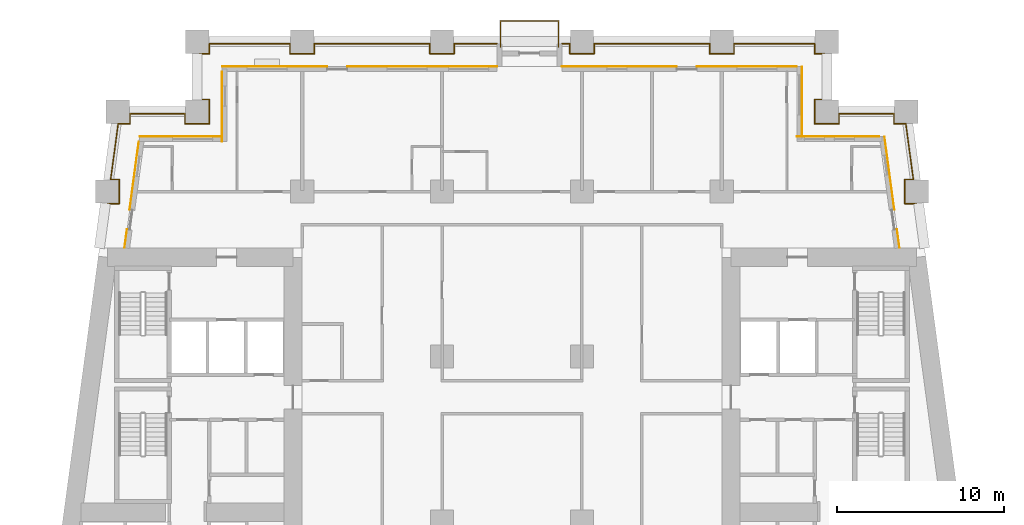
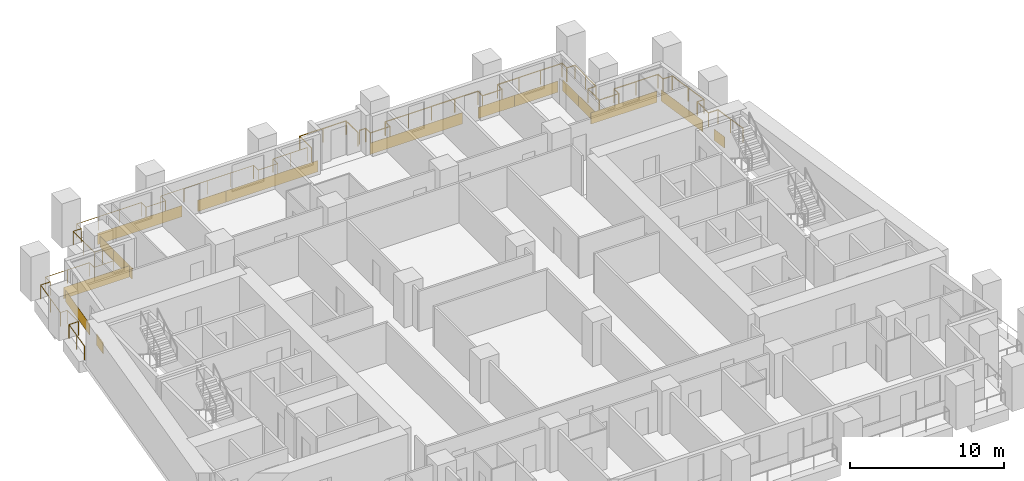
# One storey, part 11 of 12: 16 coverings, 3 railings.
"""IFC4 building model written with IfcOpenShell, lengths in metres."""

from ifc_helpers import new_model, si_unit, direction, frame, origin, origin_2d, place, context, subcontext, project, spatial, rectangle, circle, extrude, material, layer, layer_set, type_object, element, save


model = new_model("IFC4")

# Units and contexts
model_context = context("Model", 3, precision=1e-05, world=origin(), true_north=direction((0.0, 1.0)))
body_context = subcontext(model_context, "Body", "Model", "MODEL_VIEW")
ifc_project = project(units=[si_unit("LENGTHUNIT", "METRE"), si_unit("AREAUNIT", "SQUARE_METRE"), si_unit("VOLUMEUNIT", "CUBIC_METRE"), si_unit("PLANEANGLEUNIT", "RADIAN"), si_unit("MASSUNIT", "GRAM", prefix="KILO")], contexts=[model_context])

# Site, building, storey
site_placement = place(None, origin())
site = spatial("IfcSite", under=ifc_project, at=site_placement, CompositionType="ELEMENT")
building_placement = place(site_placement, origin())
building = spatial("IfcBuilding", under=site, at=building_placement, Name="Candeia Pilgrim Tower and Theatre", CompositionType="ELEMENT")
storey_placement = place(building_placement, frame((0.0, 0.0, 49.5)))
storey = spatial("IfcBuildingStorey", under=building, at=storey_placement, Name="L09", CompositionType="ELEMENT", Elevation=49.5)

# Railings
ifc_material_1 = material(Name="Stainless steel balustrade", Category="steel")
railing_type = type_object("IfcRailingType", Name="G1 loggia guard 1100", PredefinedType="GUARDRAIL", material=ifc_material_1)
railing_1_placement = place(storey_placement, frame((88.758544921875, 132.449951171875, 0.0)))
element("IfcRailing", 1, at=railing_1_placement, inside=storey, type_object=railing_type, Name="Guard L09.2", PredefinedType="GUARDRAIL", context=body_context, shape_type="SweptSolid", body=[
    extrude(circle(Radius=0.02392578125, at=origin_2d()), frame((0.0, 0.0, 1.076171875), z_axis=(0.133439920495, 0.991056904329, 0.0), x_axis=(-0.991056904329, 0.133439920495, 0.0)), (0.0, 0.0, 1.0), 2.643798828125),
    extrude(circle(Radius=0.02392578125, at=origin_2d()), frame((0.352783203125, 2.6201171875, 1.076171875), z_axis=(1.0, 0.0, 0.0), x_axis=(0.0, 1.0, 0.0)), (0.0, 0.0, 1.0), 0.70703125),
    extrude(circle(Radius=0.02392578125, at=origin_2d()), frame((1.059814453125, 2.6201171875, 1.076171875), z_axis=(0.0, 1.0, 0.0), x_axis=(-1.0, 0.0, 0.0)), (0.0, 0.0, 1.0), 1.4599609375),
    extrude(circle(Radius=0.02392578125, at=origin_2d()), frame((1.059814453125, 4.080078125, 1.076171875), z_axis=(-1.0, 0.0, 0.0), x_axis=(0.0, -1.0, 0.0)), (0.0, 0.0, 1.0), 0.510498046875),
    extrude(circle(Radius=0.02392578125, at=origin_2d()), frame((0.54931640625, 4.080078125, 1.076171875), z_axis=(0.133364121373, 0.991067107279, 0.0), x_axis=(-0.991067107279, 0.133364121373, 0.0)), (0.0, 0.0, 1.0), 3.3701171875),
    extrude(circle(Radius=0.02392578125, at=origin_2d()), frame((0.998779296875, 7.420166015625, 1.076171875), z_axis=(1.0, 0.0, 0.0), x_axis=(0.0, 1.0, 0.0)), (0.0, 0.0, 1.0), 0.707275390625),
    extrude(circle(Radius=0.02392578125, at=origin_2d()), frame((1.7060546875, 7.420166015625, 1.076171875), z_axis=(0.0, 1.0, 0.0), x_axis=(-1.0, 0.0, 0.0)), (0.0, 0.0, 1.0), 0.60986328125),
    extrude(circle(Radius=0.02392578125, at=origin_2d()), frame((1.7060546875, 8.030029296875, 1.076171875), z_axis=(1.0, 0.0, 0.0), x_axis=(0.0, 1.0, 0.0)), (0.0, 0.0, 1.0), 3.305419921875),
    extrude(circle(Radius=0.02392578125, at=origin_2d()), frame((5.011474609375, 8.030029296875, 1.076171875), z_axis=(0.0, -1.0, 0.0), x_axis=(1.0, 0.0, 0.0)), (0.0, 0.0, 1.0), 0.60986328125),
    extrude(circle(Radius=0.02392578125, at=origin_2d()), frame((5.011474609375, 7.420166015625, 1.076171875), z_axis=(1.0, 0.0, 0.0), x_axis=(0.0, 1.0, 0.0)), (0.0, 0.0, 1.0), 1.4599609375),
    extrude(circle(Radius=0.02392578125, at=origin_2d()), frame((6.471435546875, 7.420166015625, 1.076171875), z_axis=(0.0, 1.0, 0.0), x_axis=(-1.0, 0.0, 0.0)), (0.0, 0.0, 1.0), 1.4599609375),
    extrude(circle(Radius=0.02392578125, at=origin_2d()), frame((6.471435546875, 8.880126953125, 1.076171875), z_axis=(-1.0, 0.0, 0.0), x_axis=(0.0, -1.0, 0.0)), (0.0, 0.0, 1.0), 0.60986328125),
    extrude(circle(Radius=0.02392578125, at=origin_2d()), frame((5.861572265625, 8.880126953125, 1.076171875), z_axis=(0.0, 1.0, 0.0), x_axis=(-1.0, 0.0, 0.0)), (0.0, 0.0, 1.0), 2.739990234375),
    extrude(circle(Radius=0.02392578125, at=origin_2d()), frame((5.861572265625, 11.6201171875, 1.076171875), z_axis=(1.0, 0.0, 0.0), x_axis=(0.0, 1.0, 0.0)), (0.0, 0.0, 1.0), 0.60986328125),
    extrude(circle(Radius=0.02392578125, at=origin_2d()), frame((6.471435546875, 11.6201171875, 1.076171875), z_axis=(0.0, 1.0, 0.0), x_axis=(-1.0, 0.0, 0.0)), (0.0, 0.0, 1.0), 0.60986328125),
    extrude(circle(Radius=0.02392578125, at=origin_2d()), frame((6.471435546875, 12.22998046875, 1.076171875), z_axis=(1.0, 0.0, 0.0), x_axis=(0.0, 1.0, 0.0)), (0.0, 0.0, 1.0), 4.840087890625),
    extrude(circle(Radius=0.02392578125, at=origin_2d()), frame((11.3115234375, 12.22998046875, 1.076171875), z_axis=(0.0, -1.0, 0.0), x_axis=(1.0, 0.0, 0.0)), (0.0, 0.0, 1.0), 0.60986328125),
    extrude(circle(Radius=0.02392578125, at=origin_2d()), frame((11.3115234375, 11.6201171875, 1.076171875), z_axis=(1.0, 0.0, 0.0), x_axis=(0.0, 1.0, 0.0)), (0.0, 0.0, 1.0), 1.4599609375),
    extrude(circle(Radius=0.02392578125, at=origin_2d()), frame((12.771484375, 11.6201171875, 1.076171875), z_axis=(0.0, 1.0, 0.0), x_axis=(-1.0, 0.0, 0.0)), (0.0, 0.0, 1.0), 0.60986328125),
    extrude(circle(Radius=0.02392578125, at=origin_2d()), frame((12.771484375, 12.22998046875, 1.076171875), z_axis=(1.0, 0.0, 0.0), x_axis=(0.0, 1.0, 0.0)), (0.0, 0.0, 1.0), 6.93994140625),
    extrude(circle(Radius=0.02392578125, at=origin_2d()), frame((19.71142578125, 12.22998046875, 1.076171875), z_axis=(0.0, -1.0, 0.0), x_axis=(1.0, 0.0, 0.0)), (0.0, 0.0, 1.0), 0.60986328125),
    extrude(circle(Radius=0.02392578125, at=origin_2d()), frame((19.71142578125, 11.6201171875, 1.076171875), z_axis=(1.0, 0.0, 0.0), x_axis=(0.0, 1.0, 0.0)), (0.0, 0.0, 1.0), 1.4599609375),
    extrude(circle(Radius=0.02392578125, at=origin_2d()), frame((21.17138671875, 11.6201171875, 1.076171875), z_axis=(0.0, 1.0, 0.0), x_axis=(-1.0, 0.0, 0.0)), (0.0, 0.0, 1.0), 0.60986328125),
    extrude(circle(Radius=0.02392578125, at=origin_2d()), frame((21.17138671875, 12.22998046875, 1.076171875), z_axis=(1.0, 0.0, 0.0), x_axis=(0.0, 1.0, 0.0)), (0.0, 0.0, 1.0), 2.570068359375),
    extrude(circle(Radius=0.02099609375, at=origin_2d()), origin(), (0.0, 0.0, 1.0), 1.052001953125),
    extrude(circle(Radius=0.02099609375, at=origin_2d()), frame((0.17626953125, 1.31005859375, 0.0)), (0.0, 0.0, 1.0), 1.052001953125),
    extrude(circle(Radius=0.02099609375, at=origin_2d()), frame((0.352783203125, 2.6201171875, 0.0)), (0.0, 0.0, 1.0), 1.052001953125),
    extrude(circle(Radius=0.02099609375, at=origin_2d()), frame((1.059814453125, 2.6201171875, 0.0)), (0.0, 0.0, 1.0), 1.052001953125),
    extrude(circle(Radius=0.02099609375, at=origin_2d()), frame((1.059814453125, 4.080078125, 0.0)), (0.0, 0.0, 1.0), 1.052001953125),
    extrude(circle(Radius=0.02099609375, at=origin_2d()), frame((0.54931640625, 4.080078125, 0.0)), (0.0, 0.0, 1.0), 1.052001953125),
    extrude(circle(Radius=0.02099609375, at=origin_2d()), frame((0.77392578125, 5.75, 0.0)), (0.0, 0.0, 1.0), 1.052001953125),
    extrude(circle(Radius=0.02099609375, at=origin_2d()), frame((0.998779296875, 7.420166015625, 0.0)), (0.0, 0.0, 1.0), 1.052001953125),
    extrude(circle(Radius=0.02099609375, at=origin_2d()), frame((1.7060546875, 7.420166015625, 0.0)), (0.0, 0.0, 1.0), 1.052001953125),
    extrude(circle(Radius=0.02099609375, at=origin_2d()), frame((1.7060546875, 8.030029296875, 0.0)), (0.0, 0.0, 1.0), 1.052001953125),
    extrude(circle(Radius=0.02099609375, at=origin_2d()), frame((3.35888671875, 8.030029296875, 0.0)), (0.0, 0.0, 1.0), 1.052001953125),
    extrude(circle(Radius=0.02099609375, at=origin_2d()), frame((5.011474609375, 8.030029296875, 0.0)), (0.0, 0.0, 1.0), 1.052001953125),
    extrude(circle(Radius=0.02099609375, at=origin_2d()), frame((5.011474609375, 7.420166015625, 0.0)), (0.0, 0.0, 1.0), 1.052001953125),
    extrude(circle(Radius=0.02099609375, at=origin_2d()), frame((6.471435546875, 7.420166015625, 0.0)), (0.0, 0.0, 1.0), 1.052001953125),
    extrude(circle(Radius=0.02099609375, at=origin_2d()), frame((6.471435546875, 8.880126953125, 0.0)), (0.0, 0.0, 1.0), 1.052001953125),
    extrude(circle(Radius=0.02099609375, at=origin_2d()), frame((5.861572265625, 8.880126953125, 0.0)), (0.0, 0.0, 1.0), 1.052001953125),
    extrude(circle(Radius=0.02099609375, at=origin_2d()), frame((5.861572265625, 10.25, 0.0)), (0.0, 0.0, 1.0), 1.052001953125),
    extrude(circle(Radius=0.02099609375, at=origin_2d()), frame((5.861572265625, 11.6201171875, 0.0)), (0.0, 0.0, 1.0), 1.052001953125),
    extrude(circle(Radius=0.02099609375, at=origin_2d()), frame((6.471435546875, 11.6201171875, 0.0)), (0.0, 0.0, 1.0), 1.052001953125),
    extrude(circle(Radius=0.02099609375, at=origin_2d()), frame((6.471435546875, 12.22998046875, 0.0)), (0.0, 0.0, 1.0), 1.052001953125),
    extrude(circle(Radius=0.02099609375, at=origin_2d()), frame((8.084716796875, 12.22998046875, 0.0)), (0.0, 0.0, 1.0), 1.052001953125),
    extrude(circle(Radius=0.02099609375, at=origin_2d()), frame((9.6982421875, 12.22998046875, 0.0)), (0.0, 0.0, 1.0), 1.052001953125),
    extrude(circle(Radius=0.02099609375, at=origin_2d()), frame((11.3115234375, 12.22998046875, 0.0)), (0.0, 0.0, 1.0), 1.052001953125),
    extrude(circle(Radius=0.02099609375, at=origin_2d()), frame((11.3115234375, 11.6201171875, 0.0)), (0.0, 0.0, 1.0), 1.052001953125),
    extrude(circle(Radius=0.02099609375, at=origin_2d()), frame((12.771484375, 11.6201171875, 0.0)), (0.0, 0.0, 1.0), 1.052001953125),
    extrude(circle(Radius=0.02099609375, at=origin_2d()), frame((12.771484375, 12.22998046875, 0.0)), (0.0, 0.0, 1.0), 1.052001953125),
    extrude(circle(Radius=0.02099609375, at=origin_2d()), frame((14.50634765625, 12.22998046875, 0.0)), (0.0, 0.0, 1.0), 1.052001953125),
    extrude(circle(Radius=0.02099609375, at=origin_2d()), frame((16.241455078125, 12.22998046875, 0.0)), (0.0, 0.0, 1.0), 1.052001953125),
    extrude(circle(Radius=0.02099609375, at=origin_2d()), frame((17.9765625, 12.22998046875, 0.0)), (0.0, 0.0, 1.0), 1.052001953125),
    extrude(circle(Radius=0.02099609375, at=origin_2d()), frame((19.71142578125, 12.22998046875, 0.0)), (0.0, 0.0, 1.0), 1.052001953125),
    extrude(circle(Radius=0.02099609375, at=origin_2d()), frame((19.71142578125, 11.6201171875, 0.0)), (0.0, 0.0, 1.0), 1.052001953125),
    extrude(circle(Radius=0.02099609375, at=origin_2d()), frame((21.17138671875, 11.6201171875, 0.0)), (0.0, 0.0, 1.0), 1.052001953125),
    extrude(circle(Radius=0.02099609375, at=origin_2d()), frame((21.17138671875, 12.22998046875, 0.0)), (0.0, 0.0, 1.0), 1.052001953125),
    extrude(circle(Radius=0.02099609375, at=origin_2d()), frame((22.45654296875, 12.22998046875, 0.0)), (0.0, 0.0, 1.0), 1.052001953125),
    extrude(circle(Radius=0.02099609375, at=origin_2d()), frame((23.741455078125, 12.22998046875, 0.0)), (0.0, 0.0, 1.0), 1.052001953125),
])
railing_2_placement = place(storey_placement, frame((116.39990234375, 144.679931640625, 0.0)))
element("IfcRailing", 2, at=railing_2_placement, inside=storey, type_object=railing_type, Name="Guard L09.3", PredefinedType="GUARDRAIL", context=body_context, shape_type="SweptSolid", body=[
    extrude(circle(Radius=0.02392578125, at=origin_2d()), frame((0.0, 0.0, 1.076171875), z_axis=(1.0, 0.0, 0.0), x_axis=(0.0, 1.0, 0.0)), (0.0, 0.0, 1.0), 0.47021484375),
    extrude(circle(Radius=0.02392578125, at=origin_2d()), frame((0.47021484375, 0.0, 1.076171875), z_axis=(0.0, -1.0, 0.0), x_axis=(1.0, 0.0, 0.0)), (0.0, 0.0, 1.0), 0.60986328125),
    extrude(circle(Radius=0.02392578125, at=origin_2d()), frame((0.47021484375, -0.60986328125, 1.076171875), z_axis=(1.0, 0.0, 0.0), x_axis=(0.0, 1.0, 0.0)), (0.0, 0.0, 1.0), 1.4599609375),
    extrude(circle(Radius=0.02392578125, at=origin_2d()), frame((1.93017578125, -0.60986328125, 1.076171875), z_axis=(0.0, 1.0, 0.0), x_axis=(-1.0, 0.0, 0.0)), (0.0, 0.0, 1.0), 0.60986328125),
    extrude(circle(Radius=0.02392578125, at=origin_2d()), frame((1.93017578125, 0.0, 1.076171875), z_axis=(1.0, 0.0, 0.0), x_axis=(0.0, 1.0, 0.0)), (0.0, 0.0, 1.0), 6.93994140625),
    extrude(circle(Radius=0.02392578125, at=origin_2d()), frame((8.8701171875, 0.0, 1.076171875), z_axis=(0.0, -1.0, 0.0), x_axis=(1.0, 0.0, 0.0)), (0.0, 0.0, 1.0), 0.60986328125),
    extrude(circle(Radius=0.02392578125, at=origin_2d()), frame((8.8701171875, -0.60986328125, 1.076171875), z_axis=(1.0, 0.0, 0.0), x_axis=(0.0, 1.0, 0.0)), (0.0, 0.0, 1.0), 1.4599609375),
    extrude(circle(Radius=0.02392578125, at=origin_2d()), frame((10.330078125, -0.60986328125, 1.076171875), z_axis=(0.0, 1.0, 0.0), x_axis=(-1.0, 0.0, 0.0)), (0.0, 0.0, 1.0), 0.60986328125),
    extrude(circle(Radius=0.02392578125, at=origin_2d()), frame((10.330078125, 0.0, 1.076171875), z_axis=(1.0, 0.0, 0.0), x_axis=(0.0, 1.0, 0.0)), (0.0, 0.0, 1.0), 4.840087890625),
    extrude(circle(Radius=0.02392578125, at=origin_2d()), frame((15.170166015625, 0.0, 1.076171875), z_axis=(0.0, -1.0, 0.0), x_axis=(1.0, 0.0, 0.0)), (0.0, 0.0, 1.0), 0.60986328125),
    extrude(circle(Radius=0.02392578125, at=origin_2d()), frame((15.170166015625, -0.60986328125, 1.076171875), z_axis=(1.0, 0.0, 0.0), x_axis=(0.0, 1.0, 0.0)), (0.0, 0.0, 1.0), 0.60986328125),
    extrude(circle(Radius=0.02392578125, at=origin_2d()), frame((15.780029296875, -0.60986328125, 1.076171875), z_axis=(0.0, -1.0, 0.0), x_axis=(1.0, 0.0, 0.0)), (0.0, 0.0, 1.0), 2.739990234375),
    extrude(circle(Radius=0.02392578125, at=origin_2d()), frame((15.780029296875, -3.349853515625, 1.076171875), z_axis=(-1.0, 0.0, 0.0), x_axis=(0.0, -1.0, 0.0)), (0.0, 0.0, 1.0), 0.60986328125),
    extrude(circle(Radius=0.02392578125, at=origin_2d()), frame((15.170166015625, -3.349853515625, 1.076171875), z_axis=(0.0, -1.0, 0.0), x_axis=(1.0, 0.0, 0.0)), (0.0, 0.0, 1.0), 1.4599609375),
    extrude(circle(Radius=0.02392578125, at=origin_2d()), frame((15.170166015625, -4.809814453125, 1.076171875), z_axis=(1.0, 0.0, 0.0), x_axis=(0.0, 1.0, 0.0)), (0.0, 0.0, 1.0), 1.4599609375),
    extrude(circle(Radius=0.02392578125, at=origin_2d()), frame((16.630126953125, -4.809814453125, 1.076171875), z_axis=(0.0, 1.0, 0.0), x_axis=(-1.0, 0.0, 0.0)), (0.0, 0.0, 1.0), 0.60986328125),
    extrude(circle(Radius=0.02392578125, at=origin_2d()), frame((16.630126953125, -4.199951171875, 1.076171875), z_axis=(1.0, 0.0, 0.0), x_axis=(0.0, 1.0, 0.0)), (0.0, 0.0, 1.0), 3.305419921875),
    extrude(circle(Radius=0.02392578125, at=origin_2d()), frame((19.935546875, -4.199951171875, 1.076171875), z_axis=(0.0, -1.0, 0.0), x_axis=(1.0, 0.0, 0.0)), (0.0, 0.0, 1.0), 0.60986328125),
    extrude(circle(Radius=0.02392578125, at=origin_2d()), frame((19.935546875, -4.809814453125, 1.076171875), z_axis=(1.0, 0.0, 0.0), x_axis=(0.0, 1.0, 0.0)), (0.0, 0.0, 1.0), 0.70703125),
    extrude(circle(Radius=0.02392578125, at=origin_2d()), frame((20.642578125, -4.809814453125, 1.076171875), z_axis=(0.133435273035, -0.991057530071, 0.0), x_axis=(0.991057530071, 0.133435273035, 0.0)), (0.0, 0.0, 1.0), 3.3701171875),
    extrude(circle(Radius=0.02392578125, at=origin_2d()), frame((21.09228515625, -8.14990234375, 1.076171875), z_axis=(-1.0, 0.0, 0.0), x_axis=(0.0, -1.0, 0.0)), (0.0, 0.0, 1.0), 0.5107421875),
    extrude(circle(Radius=0.02392578125, at=origin_2d()), frame((20.58154296875, -8.14990234375, 1.076171875), z_axis=(0.0, -1.0, 0.0), x_axis=(1.0, 0.0, 0.0)), (0.0, 0.0, 1.0), 1.4599609375),
    extrude(circle(Radius=0.02392578125, at=origin_2d()), frame((20.58154296875, -9.60986328125, 1.076171875), z_axis=(1.0, 0.0, 0.0), x_axis=(0.0, 1.0, 0.0)), (0.0, 0.0, 1.0), 0.707275390625),
    extrude(circle(Radius=0.02392578125, at=origin_2d()), frame((21.288818359375, -9.60986328125, 1.076171875), z_axis=(0.133439920495, -0.991056904329, 0.0), x_axis=(0.991056904329, 0.133439920495, 0.0)), (0.0, 0.0, 1.0), 2.643798828125),
    extrude(circle(Radius=0.02099609375, at=origin_2d()), origin(), (0.0, 0.0, 1.0), 1.052001953125),
    extrude(circle(Radius=0.02099609375, at=origin_2d()), frame((0.47021484375, 0.0, 0.0)), (0.0, 0.0, 1.0), 1.052001953125),
    extrude(circle(Radius=0.02099609375, at=origin_2d()), frame((0.47021484375, -0.60986328125, 0.0)), (0.0, 0.0, 1.0), 1.052001953125),
    extrude(circle(Radius=0.02099609375, at=origin_2d()), frame((1.93017578125, -0.60986328125, 0.0)), (0.0, 0.0, 1.0), 1.052001953125),
    extrude(circle(Radius=0.02099609375, at=origin_2d()), frame((1.93017578125, 0.0, 0.0)), (0.0, 0.0, 1.0), 1.052001953125),
    extrude(circle(Radius=0.02099609375, at=origin_2d()), frame((3.6650390625, 0.0, 0.0)), (0.0, 0.0, 1.0), 1.052001953125),
    extrude(circle(Radius=0.02099609375, at=origin_2d()), frame((5.400146484375, 0.0, 0.0)), (0.0, 0.0, 1.0), 1.052001953125),
    extrude(circle(Radius=0.02099609375, at=origin_2d()), frame((7.13525390625, 0.0, 0.0)), (0.0, 0.0, 1.0), 1.052001953125),
    extrude(circle(Radius=0.02099609375, at=origin_2d()), frame((8.8701171875, 0.0, 0.0)), (0.0, 0.0, 1.0), 1.052001953125),
    extrude(circle(Radius=0.02099609375, at=origin_2d()), frame((8.8701171875, -0.60986328125, 0.0)), (0.0, 0.0, 1.0), 1.052001953125),
    extrude(circle(Radius=0.02099609375, at=origin_2d()), frame((10.330078125, -0.60986328125, 0.0)), (0.0, 0.0, 1.0), 1.052001953125),
    extrude(circle(Radius=0.02099609375, at=origin_2d()), frame((10.330078125, 0.0, 0.0)), (0.0, 0.0, 1.0), 1.052001953125),
    extrude(circle(Radius=0.02099609375, at=origin_2d()), frame((11.943359375, 0.0, 0.0)), (0.0, 0.0, 1.0), 1.052001953125),
    extrude(circle(Radius=0.02099609375, at=origin_2d()), frame((13.556884765625, 0.0, 0.0)), (0.0, 0.0, 1.0), 1.052001953125),
    extrude(circle(Radius=0.02099609375, at=origin_2d()), frame((15.170166015625, 0.0, 0.0)), (0.0, 0.0, 1.0), 1.052001953125),
    extrude(circle(Radius=0.02099609375, at=origin_2d()), frame((15.170166015625, -0.60986328125, 0.0)), (0.0, 0.0, 1.0), 1.052001953125),
    extrude(circle(Radius=0.02099609375, at=origin_2d()), frame((15.780029296875, -0.60986328125, 0.0)), (0.0, 0.0, 1.0), 1.052001953125),
    extrude(circle(Radius=0.02099609375, at=origin_2d()), frame((15.780029296875, -1.97998046875, 0.0)), (0.0, 0.0, 1.0), 1.052001953125),
    extrude(circle(Radius=0.02099609375, at=origin_2d()), frame((15.780029296875, -3.349853515625, 0.0)), (0.0, 0.0, 1.0), 1.052001953125),
    extrude(circle(Radius=0.02099609375, at=origin_2d()), frame((15.170166015625, -3.349853515625, 0.0)), (0.0, 0.0, 1.0), 1.052001953125),
    extrude(circle(Radius=0.02099609375, at=origin_2d()), frame((15.170166015625, -4.809814453125, 0.0)), (0.0, 0.0, 1.0), 1.052001953125),
    extrude(circle(Radius=0.02099609375, at=origin_2d()), frame((16.630126953125, -4.809814453125, 0.0)), (0.0, 0.0, 1.0), 1.052001953125),
    extrude(circle(Radius=0.02099609375, at=origin_2d()), frame((16.630126953125, -4.199951171875, 0.0)), (0.0, 0.0, 1.0), 1.052001953125),
    extrude(circle(Radius=0.02099609375, at=origin_2d()), frame((18.28271484375, -4.199951171875, 0.0)), (0.0, 0.0, 1.0), 1.052001953125),
    extrude(circle(Radius=0.02099609375, at=origin_2d()), frame((19.935546875, -4.199951171875, 0.0)), (0.0, 0.0, 1.0), 1.052001953125),
    extrude(circle(Radius=0.02099609375, at=origin_2d()), frame((19.935546875, -4.809814453125, 0.0)), (0.0, 0.0, 1.0), 1.052001953125),
    extrude(circle(Radius=0.02099609375, at=origin_2d()), frame((20.642578125, -4.809814453125, 0.0)), (0.0, 0.0, 1.0), 1.052001953125),
    extrude(circle(Radius=0.02099609375, at=origin_2d()), frame((20.867431640625, -6.47998046875, 0.0)), (0.0, 0.0, 1.0), 1.052001953125),
    extrude(circle(Radius=0.02099609375, at=origin_2d()), frame((21.09228515625, -8.14990234375, 0.0)), (0.0, 0.0, 1.0), 1.052001953125),
    extrude(circle(Radius=0.02099609375, at=origin_2d()), frame((20.58154296875, -8.14990234375, 0.0)), (0.0, 0.0, 1.0), 1.052001953125),
    extrude(circle(Radius=0.02099609375, at=origin_2d()), frame((20.58154296875, -9.60986328125, 0.0)), (0.0, 0.0, 1.0), 1.052001953125),
    extrude(circle(Radius=0.02099609375, at=origin_2d()), frame((21.288818359375, -9.60986328125, 0.0)), (0.0, 0.0, 1.0), 1.052001953125),
    extrude(circle(Radius=0.02099609375, at=origin_2d()), frame((21.46533203125, -10.919921875, 0.0)), (0.0, 0.0, 1.0), 1.052001953125),
    extrude(circle(Radius=0.02099609375, at=origin_2d()), frame((21.6416015625, -12.22998046875, 0.0)), (0.0, 0.0, 1.0), 1.052001953125),
])
railing_3_placement = place(storey_placement, frame((112.7099609375, 144.5, 0.0)))
element("IfcRailing", 3, at=railing_3_placement, inside=storey, type_object=railing_type, Name="Balcony guard L09", PredefinedType="GUARDRAIL", context=body_context, shape_type="SweptSolid", body=[
    extrude(circle(Radius=0.02392578125, at=origin_2d()), frame((0.0, 0.0, 1.076171875), z_axis=(0.0, 1.0, 0.0), x_axis=(-1.0, 0.0, 0.0)), (0.0, 0.0, 1.0), 1.5400390625),
    extrude(circle(Radius=0.02392578125, at=origin_2d()), frame((0.0, 1.5400390625, 1.076171875), z_axis=(1.0, 0.0, 0.0), x_axis=(0.0, 1.0, 0.0)), (0.0, 0.0, 1.0), 3.47998046875),
    extrude(circle(Radius=0.02392578125, at=origin_2d()), frame((3.47998046875, 1.5400390625, 1.076171875), z_axis=(0.0, -1.0, 0.0), x_axis=(1.0, 0.0, 0.0)), (0.0, 0.0, 1.0), 1.5400390625),
    extrude(circle(Radius=0.02099609375, at=origin_2d()), origin(), (0.0, 0.0, 1.0), 1.052001953125),
    extrude(circle(Radius=0.02099609375, at=origin_2d()), frame((0.0, 1.5400390625, 0.0)), (0.0, 0.0, 1.0), 1.052001953125),
    extrude(circle(Radius=0.02099609375, at=origin_2d()), frame((1.739990234375, 1.5400390625, 0.0)), (0.0, 0.0, 1.0), 1.052001953125),
    extrude(circle(Radius=0.02099609375, at=origin_2d()), frame((3.47998046875, 1.5400390625, 0.0)), (0.0, 0.0, 1.0), 1.052001953125),
    extrude(circle(Radius=0.02099609375, at=origin_2d()), frame((3.47998046875, 0.0, 0.0)), (0.0, 0.0, 1.0), 1.052001953125),
])

# Coverings
ifc_material_2 = material(Name="Glazed ceramic tile deep red")
ifc_layer_1 = layer(ifc_material_2, 0.02001953125)
ifc_layer_set_1 = layer_set([ifc_layer_1], Name="Glazed ceramic tile deep red")
covering_type_1 = type_object("IfcCoveringType", Name="Glazed ceramic tile deep red", PredefinedType="CLADDING", material=ifc_layer_set_1)
covering_1_placement = place(storey_placement, frame((132.976318359375, 139.110107421875, 0.0), z_axis=(0.0, 0.0, 1.0), x_axis=(-1.0, 0.0, 0.0)))
element("IfcCovering", 4, at=covering_1_placement, inside=storey, type_object=covering_type_1, Name="Tile cladding deep red L09", PredefinedType="CLADDING", context=body_context, shape_type="SweptSolid", body=[
    extrude(rectangle(XDim=4.95263671875, YDim=0.02001953125, at=origin_2d()), origin(), (0.0, 0.0, 1.0), 0.89990234375),
])
covering_2_placement = place(storey_placement, frame((130.81005859375, 142.25, 0.0), z_axis=(0.0, 0.0, 1.0), x_axis=(0.0, 1.0, 0.0)))
element("IfcCovering", 5, at=covering_2_placement, inside=storey, type_object=covering_type_1, Name="Tile cladding deep red L09", PredefinedType="CLADDING", context=body_context, shape_type="SweptSolid", body=[
    extrude(rectangle(XDim=2.10009765625, YDim=0.02001953125, at=origin_2d()), origin(), (0.0, 0.0, 1.0), 0.89990234375),
])
covering_3_placement = place(storey_placement, frame((128.840087890625, 143.31005859375, 0.0), z_axis=(0.0, 0.0, 1.0), x_axis=(-1.0, 0.0, 0.0)))
element("IfcCovering", 6, at=covering_3_placement, inside=storey, type_object=covering_type_1, Name="Tile cladding deep red L09", PredefinedType="CLADDING", context=body_context, shape_type="SweptSolid", body=[
    extrude(rectangle(XDim=3.280029296875, YDim=0.02001953125, at=origin_2d()), origin(), (0.0, 0.0, 1.0), 0.89990234375),
])
covering_4_placement = place(storey_placement, frame((104.550048828125, 143.31005859375, 0.0), z_axis=(0.0, 0.0, 1.0), x_axis=(-1.0, 0.0, 0.0)))
element("IfcCovering", 7, at=covering_4_placement, inside=storey, type_object=covering_type_1, Name="Tile cladding deep red L09", PredefinedType="CLADDING", context=body_context, shape_type="SweptSolid", body=[
    extrude(rectangle(XDim=2.10009765625, YDim=0.02001953125, at=origin_2d()), origin(), (0.0, 0.0, 1.0), 0.89990234375),
])
covering_5_placement = place(storey_placement, frame((99.14990234375, 143.31005859375, 0.0), z_axis=(0.0, 0.0, 1.0), x_axis=(-1.0, 0.0, 0.0)))
element("IfcCovering", 8, at=covering_5_placement, inside=storey, type_object=covering_type_1, Name="Tile cladding deep red L09", PredefinedType="CLADDING", context=body_context, shape_type="SweptSolid", body=[
    extrude(rectangle(XDim=6.300048828125, YDim=0.02001953125, at=origin_2d()), origin(), (0.0, 0.0, 1.0), 0.89990234375),
])
covering_6_placement = place(storey_placement, frame((95.989990234375, 142.090087890625, 0.0), z_axis=(0.0, 0.0, 1.0), x_axis=(0.0, -1.0, 0.0)))
element("IfcCovering", 9, at=covering_6_placement, inside=storey, type_object=covering_type_1, Name="Tile cladding deep red L09", PredefinedType="CLADDING", context=body_context, shape_type="SweptSolid", body=[
    extrude(rectangle(XDim=1.780029296875, YDim=0.02001953125, at=origin_2d()), origin(), (0.0, 0.0, 1.0), 0.89990234375),
])
covering_7_placement = place(storey_placement, frame((93.51318359375, 139.110107421875, 0.0), z_axis=(0.0, 0.0, 1.0), x_axis=(-1.0, 0.0, 0.0)))
element("IfcCovering", 10, at=covering_7_placement, inside=storey, type_object=covering_type_1, Name="Tile cladding deep red L09", PredefinedType="CLADDING", context=body_context, shape_type="SweptSolid", body=[
    extrude(rectangle(XDim=4.933837890625, YDim=0.02001953125, at=origin_2d()), origin(), (0.0, 0.0, 1.0), 0.89990234375),
])
ifc_material_3 = material(Name="Glazed ceramic tile red")
ifc_layer_2 = layer(ifc_material_3, 0.02001953125)
ifc_layer_set_2 = layer_set([ifc_layer_2], Name="Glazed ceramic tile red")
covering_type_2 = type_object("IfcCoveringType", Name="Glazed ceramic tile red", PredefinedType="CLADDING", material=ifc_layer_set_2)
covering_8_placement = place(storey_placement, frame((136.588623046875, 132.97412109375, 0.0), z_axis=(0.0, 0.0, 1.0), x_axis=(-0.133412012145, 0.991060661622, 0.0)))
element("IfcCovering", 11, at=covering_8_placement, inside=storey, type_object=covering_type_2, Name="Tile cladding red L09", PredefinedType="CLADDING", context=body_context, shape_type="SweptSolid", body=[
    extrude(rectangle(XDim=1.115234375, YDim=0.02001953125, at=origin_2d()), origin(), (0.0, 0.0, 1.0), 0.89990234375),
])
covering_9_placement = place(storey_placement, frame((136.058837890625, 136.90869140625, 0.0), z_axis=(0.0, 0.0, 1.0), x_axis=(-0.133412012145, 0.991060661622, 0.0)))
element("IfcCovering", 12, at=covering_9_placement, inside=storey, type_object=covering_type_2, Name="Tile cladding red L09", PredefinedType="CLADDING", context=body_context, shape_type="SweptSolid", body=[
    extrude(rectangle(XDim=4.4248046875, YDim=0.02001953125, at=origin_2d()), origin(), (0.0, 0.0, 1.0), 0.89990234375),
])
covering_10_placement = place(storey_placement, frame((130.81005859375, 140.159912109375, 0.0), z_axis=(0.0, 0.0, 1.0), x_axis=(0.0, 1.0, 0.0)))
element("IfcCovering", 13, at=covering_10_placement, inside=storey, type_object=covering_type_2, Name="Tile cladding red L09", PredefinedType="CLADDING", context=body_context, shape_type="SweptSolid", body=[
    extrude(rectangle(XDim=2.080078125, YDim=0.02001953125, at=origin_2d()), origin(), (0.0, 0.0, 1.0), 0.89990234375),
])
covering_11_placement = place(storey_placement, frame((125.85009765625, 143.31005859375, 0.0), z_axis=(0.0, 0.0, 1.0), x_axis=(-1.0, 0.0, 0.0)))
element("IfcCovering", 14, at=covering_11_placement, inside=storey, type_object=covering_type_2, Name="Tile cladding red L09", PredefinedType="CLADDING", context=body_context, shape_type="SweptSolid", body=[
    extrude(rectangle(XDim=2.699951171875, YDim=0.02001953125, at=origin_2d()), origin(), (0.0, 0.0, 1.0), 0.89990234375),
])
for number, where, z_axis, x_axis, name in (
    (15, (119.85009765625, 143.31005859375, 0.0), (0.0, 0.0, 1.0), (-1.0, 0.0, 0.0), "Tile cladding red L09"),
    (16, (109.050048828125, 143.31005859375, 0.0), (0.0, 0.0, 1.0), (-1.0, 0.0, 0.0), "Tile cladding red L09"),
):
    element("IfcCovering", number, at=place(storey_placement, frame(where, z_axis=z_axis, x_axis=x_axis)), inside=storey, type_object=covering_type_2, Name=name, PredefinedType="CLADDING", context=body_context, shape_type="SweptSolid", body=[
        extrude(rectangle(XDim=6.89990234375, YDim=0.02001953125, at=origin_2d()), origin(), (0.0, 0.0, 1.0), 0.89990234375),
    ])
covering_12_placement = place(storey_placement, frame((95.989990234375, 140.0, 0.0), z_axis=(0.0, 0.0, 1.0), x_axis=(0.0, -1.0, 0.0)))
element("IfcCovering", 17, at=covering_12_placement, inside=storey, type_object=covering_type_2, Name="Tile cladding red L09", PredefinedType="CLADDING", context=body_context, shape_type="SweptSolid", body=[
    extrude(rectangle(XDim=2.39990234375, YDim=0.02001953125, at=origin_2d()), origin(), (0.0, 0.0, 1.0), 0.89990234375),
])
covering_13_placement = place(storey_placement, frame((90.720947265625, 136.759521484375, 0.0), z_axis=(0.0, 0.0, 1.0), x_axis=(-0.133412012145, -0.991060661622, 0.0)))
element("IfcCovering", 18, at=covering_13_placement, inside=storey, type_object=covering_type_2, Name="Tile cladding red L09", PredefinedType="CLADDING", context=body_context, shape_type="SweptSolid", body=[
    extrude(rectangle(XDim=4.123779296875, YDim=0.02001953125, at=origin_2d()), origin(), (0.0, 0.0, 1.0), 0.89990234375),
])
covering_14_placement = place(storey_placement, frame((90.21142578125, 132.97412109375, 0.0), z_axis=(0.0, 0.0, 1.0), x_axis=(-0.133412012145, -0.991060661622, 0.0)))
element("IfcCovering", 19, at=covering_14_placement, inside=storey, type_object=covering_type_2, Name="Tile cladding red L09", PredefinedType="CLADDING", context=body_context, shape_type="SweptSolid", body=[
    extrude(rectangle(XDim=1.115234375, YDim=0.02001953125, at=origin_2d()), origin(), (0.0, 0.0, 1.0), 0.89990234375),
])

save(model, "model.ifc")
